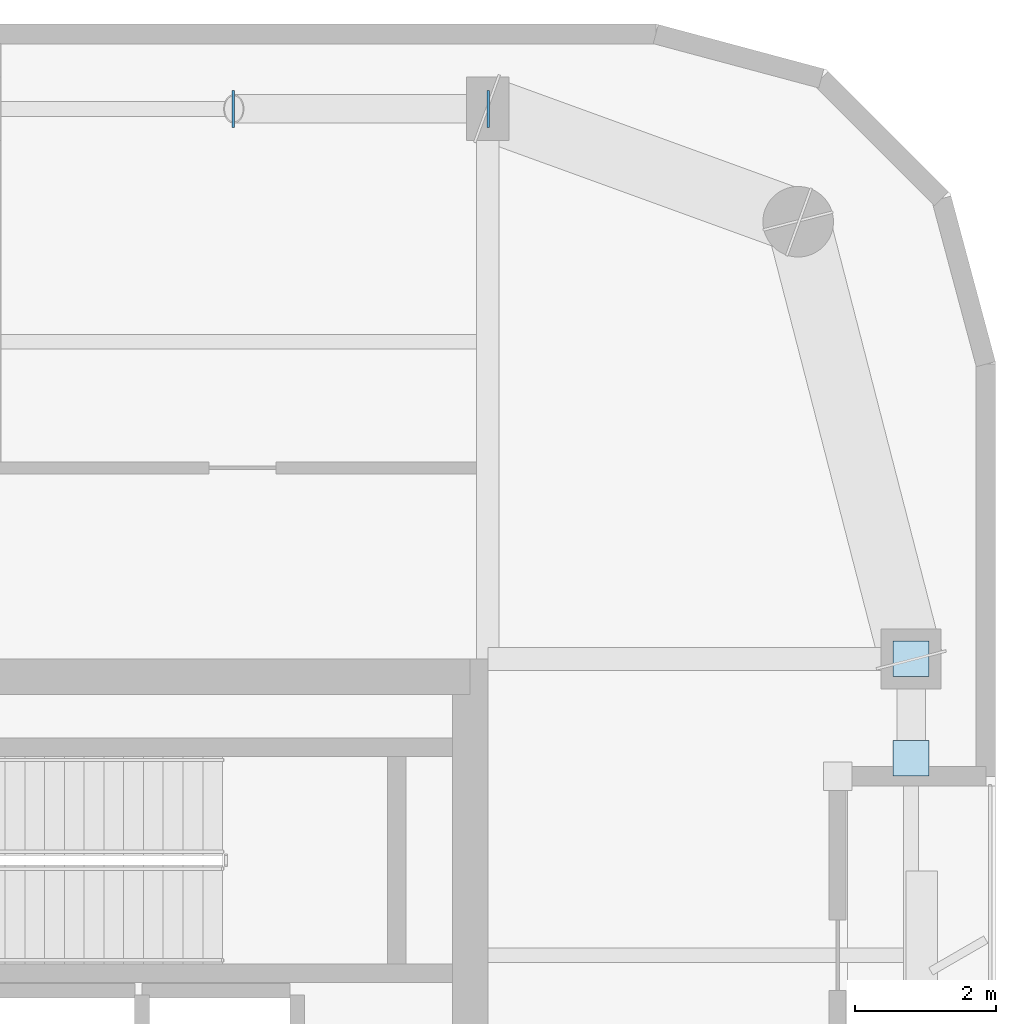
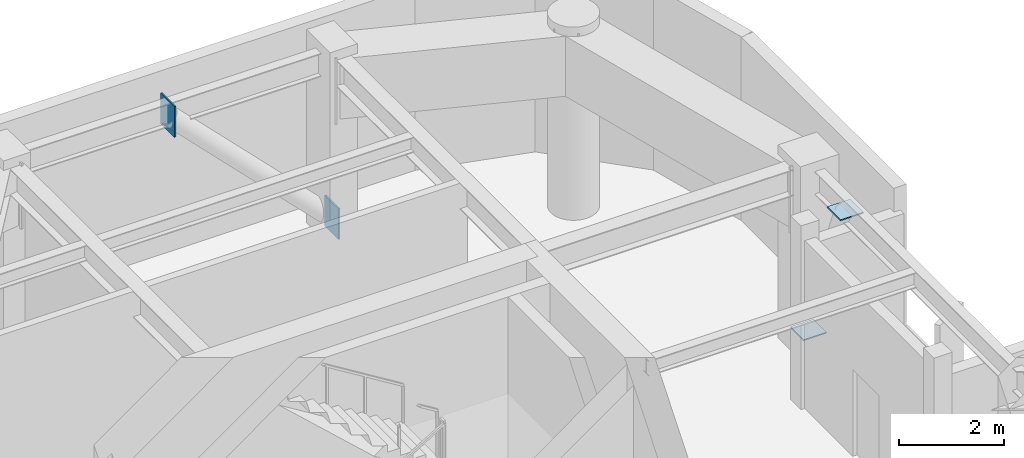
# One storey, part 9 of 15: 4 plates.
"""IFC4 building model written with IfcOpenShell, lengths in metres."""

from ifc_helpers import new_model, si_unit, direction, frame, origin, origin_2d, place, context, subcontext, project, spatial, rectangle, extrude, material, layer, layer_set, type_object, element, save


model = new_model("IFC4")

# Units and contexts
model_context = context("Model", 3, precision=1e-05, world=origin(), true_north=direction((0.0, 1.0)))
body_context = subcontext(model_context, "Body", "Model", "MODEL_VIEW")
ifc_project = project(units=[si_unit("LENGTHUNIT", "METRE"), si_unit("AREAUNIT", "SQUARE_METRE"), si_unit("VOLUMEUNIT", "CUBIC_METRE"), si_unit("PLANEANGLEUNIT", "RADIAN"), si_unit("MASSUNIT", "GRAM", prefix="KILO")], contexts=[model_context])

# Site, building, storey
site_placement = place(None, origin())
site = spatial("IfcSite", under=ifc_project, at=site_placement, CompositionType="ELEMENT")
building_placement = place(site_placement, origin())
building = spatial("IfcBuilding", under=site, at=building_placement, Name="Kiyonajd Concourse Tower", CompositionType="ELEMENT")
storey_placement = place(building_placement, frame((0.0, 0.0, 342.0)))
storey = spatial("IfcBuildingStorey", under=building, at=storey_placement, Name="L86", CompositionType="ELEMENT", Elevation=342.0)

# Plates
ifc_material = material(Name="Steel ASTM A572 Grade 50", Category="steel")
ifc_layer = layer(ifc_material, 0.028076171875)
ifc_layer_set = layer_set([ifc_layer], Name="Steel ASTM A572 Grade 50")
plate_type = type_object("IfcPlateType", Name="PL-CAP-450", PredefinedType="USERDEFINED", material=ifc_layer_set)
for number, where, z_axis, x_axis, name in (
    (1, (63.607666015625, 52.199951171875, -0.06640625), (0.0, 0.0, 1.0), (1.0, 0.0, 0.0), "L86 Hollow Brace End Cap Plate PBN"),
    (2, (59.9921875, 52.199951171875, 3.5791015625), (0.0, 0.0, 1.0), (-1.0, 0.0, 0.0), "L86 Hollow Brace Top Cap Plate PBN"),
):
    element("IfcPlate", number, at=place(storey_placement, frame(where, z_axis=z_axis, x_axis=x_axis)), inside=storey, type_object=plate_type, Name=name, ObjectType="CAP PLATE", PredefinedType="USERDEFINED", context=body_context, shape_type="SweptSolid", body=[
        extrude(rectangle(XDim=0.035888671875, YDim=0.52587890625, at=origin_2d()), origin(), (0.0, 0.0, 1.0), 0.717041015625),
    ])
for number, where, z_axis, x_axis, name in (
    (3, (69.60009765625, 44.404052734375, 0.27587890625), (0.0, 0.0, 1.0), (1.0, 0.0, 0.0), "L86 Hollow Brace End Cap Plate PBE"),
    (4, (69.60009765625, 42.99609375, 3.92626953125), (0.0, 0.0, 1.0), (1.0, 0.0, 0.0), "L86 Hollow Brace Top Cap Plate PBE"),
):
    element("IfcPlate", number, at=place(storey_placement, frame(where, z_axis=z_axis, x_axis=x_axis)), inside=storey, type_object=plate_type, Name=name, ObjectType="CAP PLATE", PredefinedType="USERDEFINED", context=body_context, shape_type="SweptSolid", body=[
        extrude(rectangle(XDim=0.506103515625, YDim=0.506103515625, at=origin_2d()), origin(), (0.0, 0.0, 1.0), 0.028076171875),
    ])

save(model, "model.ifc")
